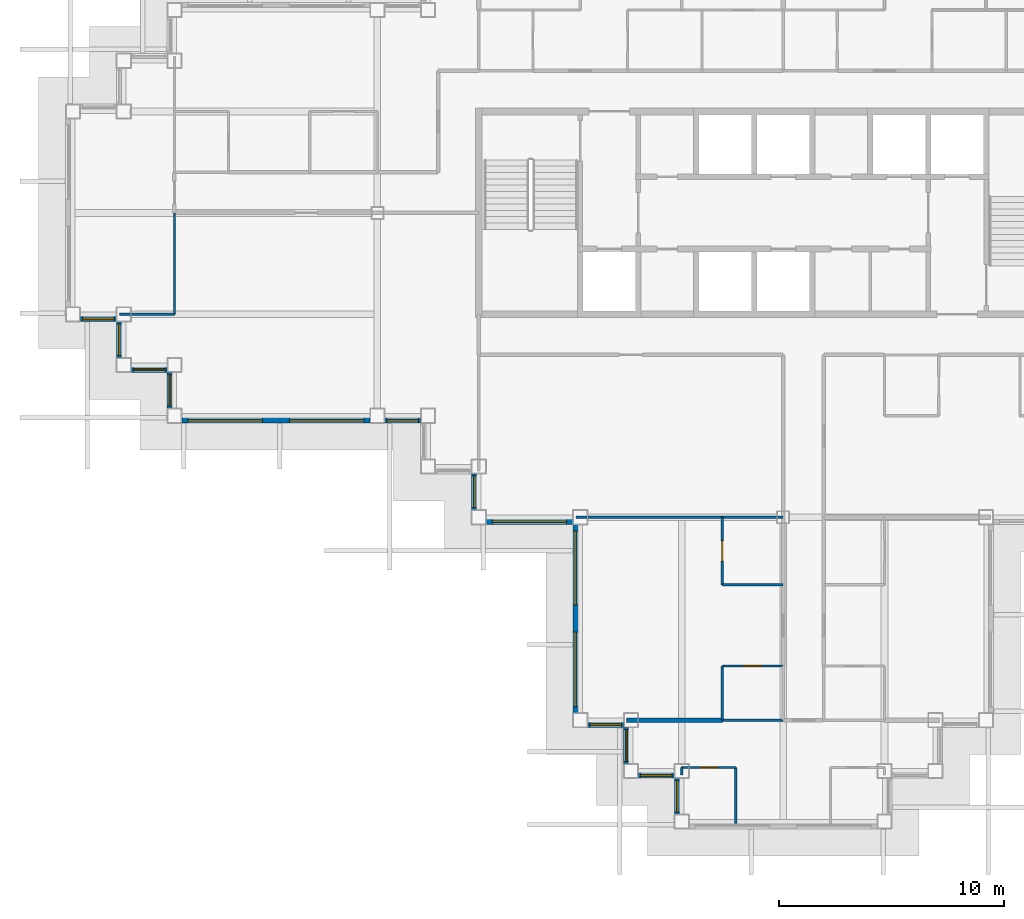
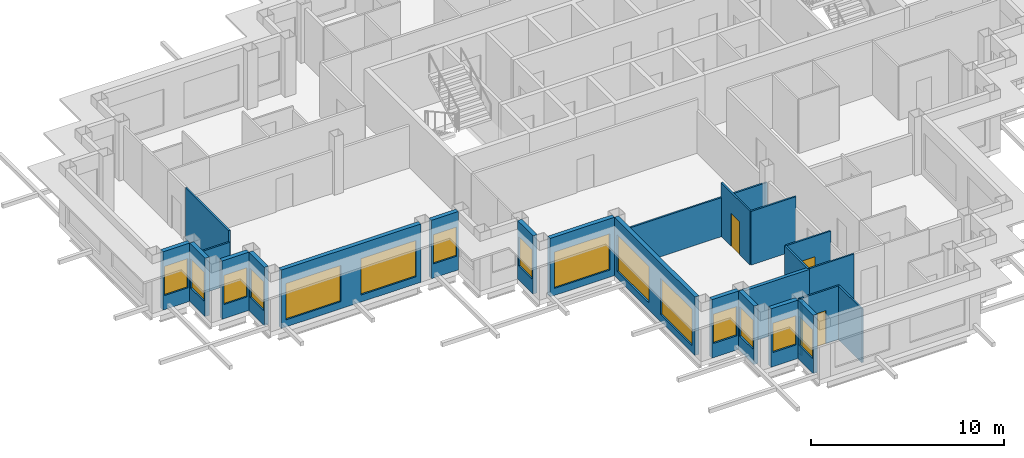
# One storey, part 2 of 12: 25 walls, 15 windows, 3 doors, 18 openings.
"""IFC4 building model written with IfcOpenShell, lengths in metres."""

import ifcopenshell
import ifcopenshell.guid

model = None  # the IFC model being written
_history = None  # IfcOwnerHistory: only IFC2X3 demands one
_inside = {}  # id of a spatial element -> (the spatial element, [elements in it])
_under = {}  # id of a project, library or spatial element -> (it, [spatial elements below it])
_declared = {}  # id of a project -> (the project, [libraries it declares])
_typed = {}  # id of a type object -> (the type object, [elements of that type])
_made_of = {}  # id of a material, layer set ... -> (it, [elements and type objects made of it])


def new_model(schema):
    """Start an empty IFC model of exactly this schema.

    Asked for "IFC4X3", IfcOpenShell would pick the latest addendum, in which some entities
    have other attributes; the version numbers below select the first issue.
    IFC2X3 requires an IfcOwnerHistory on every rooted entity: one is made here for all.
    """
    global model, _history
    if schema == "IFC4X3":
        model = ifcopenshell.file(schema_version=(4, 3, 0, 0))
    else:
        model = ifcopenshell.file(schema=schema)
    _inside.clear()
    _under.clear()
    _declared.clear()
    _typed.clear()
    _made_of.clear()
    _history = None
    if model.schema == "IFC2X3":
        org = make("IfcOrganization", Name="unknown")
        user = make(
            "IfcPersonAndOrganization",
            ThePerson=make("IfcPerson", FamilyName="unknown"),
            TheOrganization=org,
        )
        app = make(
            "IfcApplication",
            ApplicationDeveloper=org,
            Version="unknown",
            ApplicationFullName="unknown",
            ApplicationIdentifier="unknown",
        )
        _history = make(
            "IfcOwnerHistory",
            OwningUser=user,
            OwningApplication=app,
            ChangeAction="ADDED",
            CreationDate=0,
        )
    return model


def make(cls, **values):
    """One entity of the class cls with the attributes given. An attribute that is None is left unset."""
    return model.create_entity(
        cls, **{name: value for name, value in values.items() if value is not None}
    )


def rooted(cls, **values):
    """An entity with a GlobalId (a new one), such as an element, a storey or a relation."""
    return make(cls, GlobalId=ifcopenshell.guid.new(), OwnerHistory=_history, **values)


def si_unit(unit_type, name, prefix=None):
    """IfcSIUnit, for example si_unit("LENGTHUNIT", "METRE", prefix="MILLI")."""
    return make("IfcSIUnit", UnitType=unit_type, Prefix=prefix, Name=name)


def assignment(units):
    """IfcUnitAssignment: the units of a project."""
    return None if units is None else make("IfcUnitAssignment", Units=units)


def point(xyz):
    """IfcCartesianPoint."""
    return None if xyz is None else make("IfcCartesianPoint", Coordinates=xyz)


def direction(xyz):
    """IfcDirection."""
    return None if xyz is None else make("IfcDirection", DirectionRatios=xyz)


def frame(location, z_axis=None, x_axis=None):
    """IfcAxis2Placement3D, a coordinate frame: its origin and axes. An axis left out is left unset."""
    return make(
        "IfcAxis2Placement3D",
        Location=point(location),
        Axis=direction(z_axis),
        RefDirection=direction(x_axis),
    )


def frame_2d(location, x_axis=None):
    """IfcAxis2Placement2D, a coordinate frame in the plane: its origin and x axis."""
    return make(
        "IfcAxis2Placement2D", Location=point(location), RefDirection=direction(x_axis)
    )


def origin():
    """The frame at (0, 0, 0) with its axes left unset."""
    return frame((0.0, 0.0, 0.0))


def place(relative_to, where):
    """IfcLocalPlacement: puts the frame where relative to a parent placement (None: the world)."""
    return make(
        "IfcLocalPlacement", PlacementRelTo=relative_to, RelativePlacement=where
    )


def context(
    kind, dimensions, precision=None, world=None, true_north=None, identifier=None
):
    """IfcGeometricRepresentationContext, for example the 3D "Model" context."""
    return make(
        "IfcGeometricRepresentationContext",
        ContextIdentifier=identifier,
        ContextType=kind,
        CoordinateSpaceDimension=dimensions,
        Precision=precision,
        WorldCoordinateSystem=world,
        TrueNorth=true_north,
    )


def subcontext(parent, identifier, kind, view, scale=None):
    """IfcGeometricRepresentationSubContext, for example "Body" below "Model"."""
    return make(
        "IfcGeometricRepresentationSubContext",
        ContextIdentifier=identifier,
        ContextType=kind,
        ParentContext=parent,
        TargetScale=scale,
        TargetView=view,
    )


def project(units=None, contexts=None):
    """IfcProject with its units and contexts."""
    return rooted(
        "IfcProject",
        Name="project",
        RepresentationContexts=contexts,
        UnitsInContext=assignment(units),
    )


def spatial(cls, under=None, at=None, **own):
    """A site, building, storey or space (cls), placed at a placement, below another one or the project."""
    s = rooted(cls, ObjectPlacement=at, **own)
    if under is not None:
        _under.setdefault(under.id(), (under, []))[1].append(s)
    return s


def profile(cls, at=None, kind="AREA", **sizes):
    """A parametric profile (cls). Its sizes go by their IFC names, for example OverallWidth=200.0."""
    return make(cls, ProfileType=kind, Position=at, **sizes)


def rectangle(**sizes):
    """IfcRectangleProfileDef."""
    return profile("IfcRectangleProfileDef", **sizes)


def extrude(swept, where, along, depth):
    """IfcExtrudedAreaSolid: the profile swept, set in the frame where, extruded along a direction by depth."""
    return make(
        "IfcExtrudedAreaSolid",
        SweptArea=swept,
        Position=where,
        ExtrudedDirection=direction(along),
        Depth=depth,
    )


def shape(context_of_items, identifier, shape_type, items):
    """IfcShapeRepresentation: the items that make up one representation, for example the "Body"."""
    return make(
        "IfcShapeRepresentation",
        ContextOfItems=context_of_items,
        RepresentationIdentifier=identifier,
        RepresentationType=shape_type,
        Items=items,
    )


def material(Name=None, Category=None):
    """IfcMaterial."""
    return make("IfcMaterial", Name=Name, Category=Category)


def layer(
    of_material, thickness, ventilated=None, Name=None, Category=None, Priority=None
):
    """IfcMaterialLayer: one layer of a wall or slab, of a material (None: an air gap)."""
    return make(
        "IfcMaterialLayer",
        Material=of_material,
        LayerThickness=thickness,
        IsVentilated=ventilated,
        Name=Name,
        Category=Category,
        Priority=Priority,
    )


def layer_set(layers, Name=None):
    """IfcMaterialLayerSet."""
    return make("IfcMaterialLayerSet", MaterialLayers=layers, LayerSetName=Name)


def made_of(thing, what):
    """Note that an element or type object is made of a material, layer set ...; save() writes the relation."""
    if what is not None:
        _made_of.setdefault(what.id(), (what, []))[1].append(thing)
    return thing


def type_object(cls, material=None, **own):
    """A type object (cls), such as IfcWallType, which elements share."""
    return made_of(rooted(cls, **own), material)


def element(
    cls,
    number,
    at=None,
    inside=None,
    cuts=None,
    type_object=None,
    material=None,
    context=None,
    identifier="Body",
    shape_type=None,
    held_by="IfcProductDefinitionShape",
    body=None,
    shapes=None,
    **own,
):
    """One element of the class cls, such as IfcWall. Its Tag is "e" and its number.

    at: its placement. inside: the storey or other place that contains it. cuts: it is an
    opening in that element (IfcRelVoidsElement). A single representation is given by context,
    identifier, shape_type and body (its items); several are given by shapes. held_by: the class
    of the entity that holds the representations. save() writes the other relations.
    """
    e = rooted(cls, Tag="e%d" % number, ObjectPlacement=at, **own)
    if body is not None:
        shapes = [shape(context, identifier, shape_type, body)]
    if shapes is not None:
        e.Representation = make(held_by, Representations=shapes)
    if inside is not None:
        _inside.setdefault(inside.id(), (inside, []))[1].append(e)
    if cuts is not None:
        rooted(
            "IfcRelVoidsElement", RelatingBuildingElement=cuts, RelatedOpeningElement=e
        )
    if type_object is not None:
        _typed.setdefault(type_object.id(), (type_object, []))[1].append(e)
    return made_of(e, material)


def fill(opening, filler):
    """IfcRelFillsElement: the door or window that sits in an opening."""
    return rooted(
        "IfcRelFillsElement",
        RelatingOpeningElement=opening,
        RelatedBuildingElement=filler,
    )


def aggregate(whole, parts):
    """IfcRelAggregates: a whole, such as a stair, and the parts it consists of."""
    return rooted("IfcRelAggregates", RelatingObject=whole, RelatedObjects=parts)


def save(model, path):
    """Write the relations noted so far, then the file.

    IfcRelAggregates (storeys below a building ...), IfcRelContainedInSpatialStructure (elements
    in a storey), IfcRelDefinesByType, IfcRelAssociatesMaterial and IfcRelDeclares: one each for
    every whole, place, type object, material and project.
    """
    for whole, parts in _under.values():
        aggregate(whole, parts)
    for where, things in _inside.values():
        rooted(
            "IfcRelContainedInSpatialStructure",
            RelatedElements=things,
            RelatingStructure=where,
        )
    for kind, things in _typed.values():
        rooted("IfcRelDefinesByType", RelatedObjects=things, RelatingType=kind)
    for what, things in _made_of.values():
        rooted("IfcRelAssociatesMaterial", RelatedObjects=things, RelatingMaterial=what)
    for by, libraries in _declared.values():
        rooted("IfcRelDeclares", RelatingContext=by, RelatedDefinitions=libraries)
    model.write(path)


model = new_model("IFC4")

# Units and contexts
model_context = context("Model", 3, precision=1e-05, world=origin(), true_north=direction((0.0, 1.0)))
body_context = subcontext(model_context, "Body", "Model", "MODEL_VIEW")
ifc_project = project(units=[si_unit("LENGTHUNIT", "METRE"), si_unit("AREAUNIT", "SQUARE_METRE"), si_unit("VOLUMEUNIT", "CUBIC_METRE"), si_unit("PLANEANGLEUNIT", "RADIAN"), si_unit("MASSUNIT", "GRAM", prefix="KILO")], contexts=[model_context])

# Site, building, storey
site_placement = place(None, origin())
site = spatial("IfcSite", under=ifc_project, at=site_placement, CompositionType="ELEMENT")
building_placement = place(site_placement, origin())
building = spatial("IfcBuilding", under=site, at=building_placement, Name="Caravel Reach Hotel and Residences", CompositionType="ELEMENT")
storey_placement = place(building_placement, frame((0.0, 0.0, 218.300048828125)))
storey = spatial("IfcBuildingStorey", under=building, at=storey_placement, Name="L55", CompositionType="ELEMENT", Elevation=218.300048828125)

# Wall, opening, door
ifc_material_1 = material(Name="Gypsum board on steel stud", Category="steel")
ifc_layer_1 = layer(ifc_material_1, 0.10009765625)
ifc_layer_set_1 = layer_set([ifc_layer_1], Name="Bathroom pod wall 100 mm")
wall_type_1 = type_object("IfcWallType", Name="Bathroom pod wall 100 mm", PredefinedType="PARTITIONING", material=ifc_layer_set_1)
wall_1_placement = place(storey_placement, frame((27.0, 2.39990234375, 0.0), z_axis=(0.0, 0.0, 1.0), x_axis=(1.0, 0.0, 0.0)))
wall_1 = element("IfcWall", 1, at=wall_1_placement, inside=storey, type_object=wall_type_1, Name="L55 wall w077", PredefinedType="PARTITIONING", context=body_context, shape_type="SweptSolid", body=[
    extrude(rectangle(XDim=2.39990234375, YDim=0.10009765625, at=frame_2d((1.199951171875, 0.0))), origin(), (0.0, 0.0, 1.0), 3.39990234375),
])
opening_1_placement = place(wall_1_placement, frame((0.800048828125, 0.0, 0.0)))
opening_1 = element("IfcOpeningElement", 2, at=opening_1_placement, cuts=wall_1, Name="Opening D55-048", PredefinedType="OPENING", context=body_context, shape_type="SweptSolid", body=[
    extrude(rectangle(XDim=0.800048828125, YDim=2.10009765625, at=frame_2d((0.39990234375, 1.050048828125))), frame((0.0, 0.06005859375, 0.0), z_axis=(0.0, -1.0, 0.0), x_axis=(1.0, 0.0, 0.0)), (0.0, 0.0, 1.0), 0.1201171875),
])
ifc_material_2 = material(Name="Timber and steel door leaf", Category="steel")
door_type_1 = type_object("IfcDoorType", Name="Bathroom door 800 x 2100", OperationType="SINGLE_SWING_LEFT", PredefinedType="DOOR", material=ifc_material_2)
door_1_placement = place(opening_1_placement, origin())
door_1 = element("IfcDoor", 3, at=door_1_placement, inside=storey, type_object=door_type_1, Name="door D55-048", OperationType="SINGLE_SWING_LEFT", OverallHeight=2.10009765625, OverallWidth=0.800048828125, PredefinedType="DOOR", context=body_context, shape_type="SweptSolid", body=[
    extrude(rectangle(XDim=0.800048828125, YDim=2.10009765625, at=frame_2d((0.39990234375, 1.050048828125))), frame((0.0, 0.02490234375, 0.0), z_axis=(0.0, -1.0, 0.0), x_axis=(1.0, 0.0, 0.0)), (0.0, 0.0, 1.0), 0.050048828125),
])
fill(opening_1, door_1)

# Wall
wall_2_placement = place(storey_placement, frame((28.800048828125, 4.5, 0.0), z_axis=(0.0, 0.0, 1.0), x_axis=(1.0, 0.0, 0.0)))
element("IfcWall", 4, at=wall_2_placement, inside=storey, type_object=wall_type_1, Name="L55 wall w087", PredefinedType="PARTITIONING", context=body_context, shape_type="SweptSolid", body=[
    extrude(rectangle(XDim=2.699951171875, YDim=0.10009765625, at=frame_2d((1.35009765625, 0.0))), origin(), (0.0, 0.0, 1.0), 3.39990234375),
])

# Wall, opening, door
wall_3_placement = place(storey_placement, frame((28.800048828125, 6.89990234375, 0.0), z_axis=(0.0, 0.0, 1.0), x_axis=(1.0, 0.0, 0.0)))
wall_3 = element("IfcWall", 5, at=wall_3_placement, inside=storey, type_object=wall_type_1, Name="L55 wall w089", PredefinedType="PARTITIONING", context=body_context, shape_type="SweptSolid", body=[
    extrude(rectangle(XDim=2.699951171875, YDim=0.10009765625, at=frame_2d((1.35009765625, 0.0))), origin(), (0.0, 0.0, 1.0), 3.39990234375),
])
opening_2_placement = place(wall_3_placement, frame((0.949951171875, 0.0, 0.0)))
opening_2 = element("IfcOpeningElement", 6, at=opening_2_placement, cuts=wall_3, Name="Opening D55-038", PredefinedType="OPENING", context=body_context, shape_type="SweptSolid", body=[
    extrude(rectangle(XDim=0.800048828125, YDim=2.10009765625, at=frame_2d((0.39990234375, 1.050048828125))), frame((0.0, 0.06005859375, 0.0), z_axis=(0.0, -1.0, 0.0), x_axis=(1.0, 0.0, 0.0)), (0.0, 0.0, 1.0), 0.1201171875),
])
door_2_placement = place(opening_2_placement, origin())
door_2 = element("IfcDoor", 7, at=door_2_placement, inside=storey, type_object=door_type_1, Name="door D55-038", OperationType="SINGLE_SWING_LEFT", OverallHeight=2.10009765625, OverallWidth=0.800048828125, PredefinedType="DOOR", context=body_context, shape_type="SweptSolid", body=[
    extrude(rectangle(XDim=0.800048828125, YDim=2.10009765625, at=frame_2d((0.39990234375, 1.050048828125))), frame((0.0, 0.02490234375, 0.0), z_axis=(0.0, -1.0, 0.0), x_axis=(1.0, 0.0, 0.0)), (0.0, 0.0, 1.0), 0.050048828125),
])
fill(opening_2, door_2)

# Walls
wall_4_placement = place(storey_placement, frame((27.0, 2.06005859375, 0.0), z_axis=(0.0, 0.0, 1.0), x_axis=(0.0, 1.0, 0.0)))
element("IfcWall", 8, at=wall_4_placement, inside=storey, type_object=wall_type_1, Name="L55 wall w092", PredefinedType="PARTITIONING", context=body_context, shape_type="SweptSolid", body=[
    extrude(rectangle(XDim=0.33984375, YDim=0.10009765625, at=frame_2d((0.169921875, 0.0))), origin(), (0.0, 0.0, 1.0), 3.39990234375),
])
wall_5_placement = place(storey_placement, frame((28.800048828125, 4.5, 0.0), z_axis=(0.0, 0.0, 1.0), x_axis=(0.0, 1.0, 0.0)))
element("IfcWall", 9, at=wall_5_placement, inside=storey, type_object=wall_type_1, Name="L55 wall w093", PredefinedType="PARTITIONING", context=body_context, shape_type="SweptSolid", body=[
    extrude(rectangle(XDim=2.39990234375, YDim=0.10009765625, at=frame_2d((1.199951171875, 0.0))), origin(), (0.0, 0.0, 1.0), 3.39990234375),
])
wall_6_placement = place(storey_placement, frame((29.39990234375, -0.074951171875, 0.0), z_axis=(0.0, 0.0, 1.0), x_axis=(0.0, 1.0, 0.0)))
element("IfcWall", 10, at=wall_6_placement, inside=storey, type_object=wall_type_1, Name="L55 wall w094", PredefinedType="PARTITIONING", context=body_context, shape_type="SweptSolid", body=[
    extrude(rectangle(XDim=2.474853515625, YDim=0.10009765625, at=frame_2d((1.2373046875, 0.0))), origin(), (0.0, 0.0, 1.0), 3.39990234375),
])

# Wall, opening, window
ifc_material_3 = material(Name="Insulated rainscreen wall, aluminium cladding", Category="aluminium")
ifc_layer_2 = layer(ifc_material_3, 0.25)
ifc_layer_set_2 = layer_set([ifc_layer_2], Name="EW1 Tower rainscreen wall")
wall_type_2 = type_object("IfcWallType", Name="EW1 Tower rainscreen wall", PredefinedType="SOLIDWALL", material=ifc_layer_set_2)
wall_7_placement = place(storey_placement, frame((0.324951171875, 22.300048828125, 0.0), z_axis=(0.0, 0.0, 1.0), x_axis=(1.0, 0.0, 0.0)))
wall_7 = element("IfcWall", 11, at=wall_7_placement, inside=storey, type_object=wall_type_2, Name="External wall L55 S21.1", PredefinedType="SOLIDWALL", context=body_context, shape_type="SweptSolid", body=[
    extrude(rectangle(XDim=1.60009765625, YDim=0.25, at=frame_2d((0.800048828125, 0.0))), origin(), (0.0, 0.0, 1.0), 3.699951171875),
])
opening_3_placement = place(wall_7_placement, frame((0.10009765625, 0.0, 0.89990234375)))
opening_3 = element("IfcOpeningElement", 12, at=opening_3_placement, cuts=wall_7, Name="Opening WN22", PredefinedType="OPENING", context=body_context, shape_type="SweptSolid", body=[
    extrude(rectangle(XDim=1.39990234375, YDim=1.85009765625, at=frame_2d((0.699951171875, 0.925048828125))), frame((0.0, 0.135009765625, 0.0), z_axis=(0.0, -1.0, 0.0), x_axis=(1.0, 0.0, 0.0)), (0.0, 0.0, 1.0), 0.27001953125),
])
ifc_material_4 = material(Name="Dark low-e glazing in black aluminium frame", Category="aluminium")
window_type_1 = type_object("IfcWindowType", Name="Residence bedroom window 1400 x 1850", PartitioningType="SINGLE_PANEL", PredefinedType="WINDOW", material=ifc_material_4)
window_1_placement = place(opening_3_placement, origin())
window_1 = element("IfcWindow", 13, at=window_1_placement, inside=storey, type_object=window_type_1, Name="Window L55 S21.1.1", OverallHeight=1.85009765625, OverallWidth=1.39990234375, PartitioningType="SINGLE_PANEL", PredefinedType="WINDOW", context=body_context, shape_type="SweptSolid", body=[
    extrude(rectangle(XDim=1.39990234375, YDim=1.85009765625, at=frame_2d((0.699951171875, 0.925048828125))), frame((0.0, 0.030029296875, 0.0), z_axis=(0.0, -1.0, 0.0), x_axis=(1.0, 0.0, 0.0)), (0.0, 0.0, 1.0), 0.06005859375),
])
fill(opening_3, window_1)

wall_8_placement = place(storey_placement, frame((2.050048828125, 22.175048828125, 0.0), z_axis=(0.0, 0.0, 1.0), x_axis=(0.0, -1.0, 0.0)))
wall_8 = element("IfcWall", 14, at=wall_8_placement, inside=storey, type_object=wall_type_2, Name="External wall L55 W22.1", PredefinedType="SOLIDWALL", context=body_context, shape_type="SweptSolid", body=[
    extrude(rectangle(XDim=1.60009765625, YDim=0.25, at=frame_2d((0.800048828125, 0.0))), origin(), (0.0, 0.0, 1.0), 3.699951171875),
])
opening_4_placement = place(wall_8_placement, frame((0.10009765625, 0.0, 0.89990234375)))
opening_4 = element("IfcOpeningElement", 15, at=opening_4_placement, cuts=wall_8, Name="Opening WN22", PredefinedType="OPENING", context=body_context, shape_type="SweptSolid", body=[
    extrude(rectangle(XDim=1.39990234375, YDim=1.85009765625, at=frame_2d((0.699951171875, 0.925048828125))), frame((0.0, 0.135009765625, 0.0), z_axis=(0.0, -1.0, 0.0), x_axis=(1.0, 0.0, 0.0)), (0.0, 0.0, 1.0), 0.27001953125),
])
window_2_placement = place(opening_4_placement, origin())
window_2 = element("IfcWindow", 16, at=window_2_placement, inside=storey, type_object=window_type_1, Name="Window L55 W22.1.1", OverallHeight=1.85009765625, OverallWidth=1.39990234375, PartitioningType="SINGLE_PANEL", PredefinedType="WINDOW", context=body_context, shape_type="SweptSolid", body=[
    extrude(rectangle(XDim=1.39990234375, YDim=1.85009765625, at=frame_2d((0.699951171875, 0.925048828125))), frame((0.0, 0.030029296875, 0.0), z_axis=(0.0, -1.0, 0.0), x_axis=(1.0, 0.0, 0.0)), (0.0, 0.0, 1.0), 0.06005859375),
])
fill(opening_4, window_2)

wall_9_placement = place(storey_placement, frame((2.574951171875, 20.050048828125, 0.0), z_axis=(0.0, 0.0, 1.0), x_axis=(1.0, 0.0, 0.0)))
wall_9 = element("IfcWall", 17, at=wall_9_placement, inside=storey, type_object=wall_type_2, Name="External wall L55 S23.1", PredefinedType="SOLIDWALL", context=body_context, shape_type="SweptSolid", body=[
    extrude(rectangle(XDim=1.60009765625, YDim=0.25, at=frame_2d((0.800048828125, 0.0))), origin(), (0.0, 0.0, 1.0), 3.699951171875),
])
opening_5_placement = place(wall_9_placement, frame((0.10009765625, 0.0, 0.89990234375)))
opening_5 = element("IfcOpeningElement", 18, at=opening_5_placement, cuts=wall_9, Name="Opening WN22", PredefinedType="OPENING", context=body_context, shape_type="SweptSolid", body=[
    extrude(rectangle(XDim=1.39990234375, YDim=1.85009765625, at=frame_2d((0.699951171875, 0.925048828125))), frame((0.0, 0.135009765625, 0.0), z_axis=(0.0, -1.0, 0.0), x_axis=(1.0, 0.0, 0.0)), (0.0, 0.0, 1.0), 0.27001953125),
])
window_3_placement = place(opening_5_placement, origin())
window_3 = element("IfcWindow", 19, at=window_3_placement, inside=storey, type_object=window_type_1, Name="Window L55 S23.1.1", OverallHeight=1.85009765625, OverallWidth=1.39990234375, PartitioningType="SINGLE_PANEL", PredefinedType="WINDOW", context=body_context, shape_type="SweptSolid", body=[
    extrude(rectangle(XDim=1.39990234375, YDim=1.85009765625, at=frame_2d((0.699951171875, 0.925048828125))), frame((0.0, 0.030029296875, 0.0), z_axis=(0.0, -1.0, 0.0), x_axis=(1.0, 0.0, 0.0)), (0.0, 0.0, 1.0), 0.06005859375),
])
fill(opening_5, window_3)

wall_10_placement = place(storey_placement, frame((4.300048828125, 19.925048828125, 0.0), z_axis=(0.0, 0.0, 1.0), x_axis=(0.0, -1.0, 0.0)))
wall_10 = element("IfcWall", 20, at=wall_10_placement, inside=storey, type_object=wall_type_2, Name="External wall L55 W24.1", PredefinedType="SOLIDWALL", context=body_context, shape_type="SweptSolid", body=[
    extrude(rectangle(XDim=1.60009765625, YDim=0.25, at=frame_2d((0.800048828125, 0.0))), origin(), (0.0, 0.0, 1.0), 3.699951171875),
])
opening_6_placement = place(wall_10_placement, frame((0.10009765625, 0.0, 0.89990234375)))
opening_6 = element("IfcOpeningElement", 21, at=opening_6_placement, cuts=wall_10, Name="Opening WN22", PredefinedType="OPENING", context=body_context, shape_type="SweptSolid", body=[
    extrude(rectangle(XDim=1.39990234375, YDim=1.85009765625, at=frame_2d((0.699951171875, 0.925048828125))), frame((0.0, 0.135009765625, 0.0), z_axis=(0.0, -1.0, 0.0), x_axis=(1.0, 0.0, 0.0)), (0.0, 0.0, 1.0), 0.27001953125),
])
window_4_placement = place(opening_6_placement, origin())
window_4 = element("IfcWindow", 22, at=window_4_placement, inside=storey, type_object=window_type_1, Name="Window L55 W24.1.1", OverallHeight=1.85009765625, OverallWidth=1.39990234375, PartitioningType="SINGLE_PANEL", PredefinedType="WINDOW", context=body_context, shape_type="SweptSolid", body=[
    extrude(rectangle(XDim=1.39990234375, YDim=1.85009765625, at=frame_2d((0.699951171875, 0.925048828125))), frame((0.0, 0.030029296875, 0.0), z_axis=(0.0, -1.0, 0.0), x_axis=(1.0, 0.0, 0.0)), (0.0, 0.0, 1.0), 0.06005859375),
])
fill(opening_6, window_4)

# Wall, openings, windows
wall_11_placement = place(storey_placement, frame((4.824951171875, 17.800048828125, 0.0), z_axis=(0.0, 0.0, 1.0), x_axis=(1.0, 0.0, 0.0)))
wall_11 = element("IfcWall", 23, at=wall_11_placement, inside=storey, type_object=wall_type_2, Name="External wall L55 S25.1", PredefinedType="SOLIDWALL", context=body_context, shape_type="SweptSolid", body=[
    extrude(rectangle(XDim=8.35009765625, YDim=0.25, at=frame_2d((4.175048828125, 0.0))), origin(), (0.0, 0.0, 1.0), 3.699951171875),
])
opening_7_placement = place(wall_11_placement, frame((0.27490234375, 0.0, 0.449951171875)))
opening_7 = element("IfcOpeningElement", 24, at=opening_7_placement, cuts=wall_11, Name="Opening WN15", PredefinedType="OPENING", context=body_context, shape_type="SweptSolid", body=[
    extrude(rectangle(XDim=3.300048828125, YDim=2.300048828125, at=frame_2d((1.64990234375, 1.14990234375))), frame((0.0, 0.135009765625, 0.0), z_axis=(0.0, -1.0, 0.0), x_axis=(1.0, 0.0, 0.0)), (0.0, 0.0, 1.0), 0.27001953125),
])
opening_8_placement = place(wall_11_placement, frame((4.77490234375, 0.0, 0.449951171875)))
opening_8 = element("IfcOpeningElement", 25, at=opening_8_placement, cuts=wall_11, Name="Opening WN15", PredefinedType="OPENING", context=body_context, shape_type="SweptSolid", body=[
    extrude(rectangle(XDim=3.300048828125, YDim=2.300048828125, at=frame_2d((1.64990234375, 1.14990234375))), frame((0.0, 0.135009765625, 0.0), z_axis=(0.0, -1.0, 0.0), x_axis=(1.0, 0.0, 0.0)), (0.0, 0.0, 1.0), 0.27001953125),
])
ifc_material_5 = material(Name="Dark low-e glazing in black aluminium frame", Category="aluminium")
window_type_2 = type_object("IfcWindowType", Name="Residence living window 3300 x 2300", PartitioningType="SINGLE_PANEL", PredefinedType="WINDOW", material=ifc_material_5)
window_5_placement = place(opening_7_placement, origin())
window_5 = element("IfcWindow", 26, at=window_5_placement, inside=storey, type_object=window_type_2, Name="Window L55 S25.1.1", OverallHeight=2.300048828125, OverallWidth=3.300048828125, PartitioningType="SINGLE_PANEL", PredefinedType="WINDOW", context=body_context, shape_type="SweptSolid", body=[
    extrude(rectangle(XDim=3.300048828125, YDim=2.300048828125, at=frame_2d((1.64990234375, 1.14990234375))), frame((0.0, 0.030029296875, 0.0), z_axis=(0.0, -1.0, 0.0), x_axis=(1.0, 0.0, 0.0)), (0.0, 0.0, 1.0), 0.06005859375),
])
fill(opening_7, window_5)
window_6_placement = place(opening_8_placement, origin())
window_6 = element("IfcWindow", 27, at=window_6_placement, inside=storey, type_object=window_type_2, Name="Window L55 S25.1.2", OverallHeight=2.300048828125, OverallWidth=3.300048828125, PartitioningType="SINGLE_PANEL", PredefinedType="WINDOW", context=body_context, shape_type="SweptSolid", body=[
    extrude(rectangle(XDim=3.300048828125, YDim=2.300048828125, at=frame_2d((1.64990234375, 1.14990234375))), frame((0.0, 0.030029296875, 0.0), z_axis=(0.0, -1.0, 0.0), x_axis=(1.0, 0.0, 0.0)), (0.0, 0.0, 1.0), 0.06005859375),
])
fill(opening_8, window_6)

# Wall, opening, window
wall_12_placement = place(storey_placement, frame((13.824951171875, 17.800048828125, 0.0), z_axis=(0.0, 0.0, 1.0), x_axis=(1.0, 0.0, 0.0)))
wall_12 = element("IfcWall", 28, at=wall_12_placement, inside=storey, type_object=wall_type_2, Name="External wall L55 S25.2", PredefinedType="SOLIDWALL", context=body_context, shape_type="SweptSolid", body=[
    extrude(rectangle(XDim=1.60009765625, YDim=0.25, at=frame_2d((0.800048828125, 0.0))), origin(), (0.0, 0.0, 1.0), 3.699951171875),
])
opening_9_placement = place(wall_12_placement, frame((0.10009765625, 0.0, 0.89990234375)))
opening_9 = element("IfcOpeningElement", 29, at=opening_9_placement, cuts=wall_12, Name="Opening WN22", PredefinedType="OPENING", context=body_context, shape_type="SweptSolid", body=[
    extrude(rectangle(XDim=1.39990234375, YDim=1.85009765625, at=frame_2d((0.699951171875, 0.925048828125))), frame((0.0, 0.135009765625, 0.0), z_axis=(0.0, -1.0, 0.0), x_axis=(1.0, 0.0, 0.0)), (0.0, 0.0, 1.0), 0.27001953125),
])
window_7_placement = place(opening_9_placement, origin())
window_7 = element("IfcWindow", 30, at=window_7_placement, inside=storey, type_object=window_type_1, Name="Window L55 S25.2.1", OverallHeight=1.85009765625, OverallWidth=1.39990234375, PartitioningType="SINGLE_PANEL", PredefinedType="WINDOW", context=body_context, shape_type="SweptSolid", body=[
    extrude(rectangle(XDim=1.39990234375, YDim=1.85009765625, at=frame_2d((0.699951171875, 0.925048828125))), frame((0.0, 0.030029296875, 0.0), z_axis=(0.0, -1.0, 0.0), x_axis=(1.0, 0.0, 0.0)), (0.0, 0.0, 1.0), 0.06005859375),
])
fill(opening_9, window_7)

wall_13_placement = place(storey_placement, frame((17.800048828125, 15.425048828125, 0.0), z_axis=(0.0, 0.0, 1.0), x_axis=(0.0, -1.0, 0.0)))
wall_13 = element("IfcWall", 31, at=wall_13_placement, inside=storey, type_object=wall_type_2, Name="External wall L55 W28.1", PredefinedType="SOLIDWALL", context=body_context, shape_type="SweptSolid", body=[
    extrude(rectangle(XDim=1.60009765625, YDim=0.25, at=frame_2d((0.800048828125, 0.0))), origin(), (0.0, 0.0, 1.0), 3.699951171875),
])
opening_10_placement = place(wall_13_placement, frame((0.10009765625, 0.0, 0.89990234375)))
opening_10 = element("IfcOpeningElement", 32, at=opening_10_placement, cuts=wall_13, Name="Opening WN22", PredefinedType="OPENING", context=body_context, shape_type="SweptSolid", body=[
    extrude(rectangle(XDim=1.39990234375, YDim=1.85009765625, at=frame_2d((0.699951171875, 0.925048828125))), frame((0.0, 0.135009765625, 0.0), z_axis=(0.0, -1.0, 0.0), x_axis=(1.0, 0.0, 0.0)), (0.0, 0.0, 1.0), 0.27001953125),
])
window_8_placement = place(opening_10_placement, origin())
window_8 = element("IfcWindow", 33, at=window_8_placement, inside=storey, type_object=window_type_1, Name="Window L55 W28.1.1", OverallHeight=1.85009765625, OverallWidth=1.39990234375, PartitioningType="SINGLE_PANEL", PredefinedType="WINDOW", context=body_context, shape_type="SweptSolid", body=[
    extrude(rectangle(XDim=1.39990234375, YDim=1.85009765625, at=frame_2d((0.699951171875, 0.925048828125))), frame((0.0, 0.030029296875, 0.0), z_axis=(0.0, -1.0, 0.0), x_axis=(1.0, 0.0, 0.0)), (0.0, 0.0, 1.0), 0.06005859375),
])
fill(opening_10, window_8)

wall_14_placement = place(storey_placement, frame((18.324951171875, 13.300048828125, 0.0), z_axis=(0.0, 0.0, 1.0), x_axis=(1.0, 0.0, 0.0)))
wall_14 = element("IfcWall", 34, at=wall_14_placement, inside=storey, type_object=wall_type_2, Name="External wall L55 S29.1", PredefinedType="SOLIDWALL", context=body_context, shape_type="SweptSolid", body=[
    extrude(rectangle(XDim=3.85009765625, YDim=0.25, at=frame_2d((1.925048828125, 0.0))), origin(), (0.0, 0.0, 1.0), 3.699951171875),
])
opening_11_placement = place(wall_14_placement, frame((0.27490234375, 0.0, 0.449951171875)))
opening_11 = element("IfcOpeningElement", 35, at=opening_11_placement, cuts=wall_14, Name="Opening WN15", PredefinedType="OPENING", context=body_context, shape_type="SweptSolid", body=[
    extrude(rectangle(XDim=3.300048828125, YDim=2.300048828125, at=frame_2d((1.64990234375, 1.14990234375))), frame((0.0, 0.135009765625, 0.0), z_axis=(0.0, -1.0, 0.0), x_axis=(1.0, 0.0, 0.0)), (0.0, 0.0, 1.0), 0.27001953125),
])
window_9_placement = place(opening_11_placement, origin())
window_9 = element("IfcWindow", 36, at=window_9_placement, inside=storey, type_object=window_type_2, Name="Window L55 S29.1.1", OverallHeight=2.300048828125, OverallWidth=3.300048828125, PartitioningType="SINGLE_PANEL", PredefinedType="WINDOW", context=body_context, shape_type="SweptSolid", body=[
    extrude(rectangle(XDim=3.300048828125, YDim=2.300048828125, at=frame_2d((1.64990234375, 1.14990234375))), frame((0.0, 0.030029296875, 0.0), z_axis=(0.0, -1.0, 0.0), x_axis=(1.0, 0.0, 0.0)), (0.0, 0.0, 1.0), 0.06005859375),
])
fill(opening_11, window_9)

# Wall, openings, windows
wall_15_placement = place(storey_placement, frame((22.300048828125, 13.175048828125, 0.0), z_axis=(0.0, 0.0, 1.0), x_axis=(0.0, -1.0, 0.0)))
wall_15 = element("IfcWall", 37, at=wall_15_placement, inside=storey, type_object=wall_type_2, Name="External wall L55 W30.1", PredefinedType="SOLIDWALL", context=body_context, shape_type="SweptSolid", body=[
    extrude(rectangle(XDim=8.35009765625, YDim=0.25, at=frame_2d((4.175048828125, 0.0))), origin(), (0.0, 0.0, 1.0), 3.699951171875),
])
opening_12_placement = place(wall_15_placement, frame((0.27490234375, 0.0, 0.449951171875)))
opening_12 = element("IfcOpeningElement", 38, at=opening_12_placement, cuts=wall_15, Name="Opening WN15", PredefinedType="OPENING", context=body_context, shape_type="SweptSolid", body=[
    extrude(rectangle(XDim=3.300048828125, YDim=2.300048828125, at=frame_2d((1.64990234375, 1.14990234375))), frame((0.0, 0.135009765625, 0.0), z_axis=(0.0, -1.0, 0.0), x_axis=(1.0, 0.0, 0.0)), (0.0, 0.0, 1.0), 0.27001953125),
])
opening_13_placement = place(wall_15_placement, frame((4.77490234375, 0.0, 0.449951171875)))
opening_13 = element("IfcOpeningElement", 39, at=opening_13_placement, cuts=wall_15, Name="Opening WN15", PredefinedType="OPENING", context=body_context, shape_type="SweptSolid", body=[
    extrude(rectangle(XDim=3.300048828125, YDim=2.300048828125, at=frame_2d((1.64990234375, 1.14990234375))), frame((0.0, 0.135009765625, 0.0), z_axis=(0.0, -1.0, 0.0), x_axis=(1.0, 0.0, 0.0)), (0.0, 0.0, 1.0), 0.27001953125),
])
window_10_placement = place(opening_12_placement, origin())
window_10 = element("IfcWindow", 40, at=window_10_placement, inside=storey, type_object=window_type_2, Name="Window L55 W30.1.1", OverallHeight=2.300048828125, OverallWidth=3.300048828125, PartitioningType="SINGLE_PANEL", PredefinedType="WINDOW", context=body_context, shape_type="SweptSolid", body=[
    extrude(rectangle(XDim=3.300048828125, YDim=2.300048828125, at=frame_2d((1.64990234375, 1.14990234375))), frame((0.0, 0.030029296875, 0.0), z_axis=(0.0, -1.0, 0.0), x_axis=(1.0, 0.0, 0.0)), (0.0, 0.0, 1.0), 0.06005859375),
])
fill(opening_12, window_10)
window_11_placement = place(opening_13_placement, origin())
window_11 = element("IfcWindow", 41, at=window_11_placement, inside=storey, type_object=window_type_2, Name="Window L55 W30.1.2", OverallHeight=2.300048828125, OverallWidth=3.300048828125, PartitioningType="SINGLE_PANEL", PredefinedType="WINDOW", context=body_context, shape_type="SweptSolid", body=[
    extrude(rectangle(XDim=3.300048828125, YDim=2.300048828125, at=frame_2d((1.64990234375, 1.14990234375))), frame((0.0, 0.030029296875, 0.0), z_axis=(0.0, -1.0, 0.0), x_axis=(1.0, 0.0, 0.0)), (0.0, 0.0, 1.0), 0.06005859375),
])
fill(opening_13, window_11)

# Wall, opening, window
wall_16_placement = place(storey_placement, frame((22.824951171875, 4.300048828125, 0.0), z_axis=(0.0, 0.0, 1.0), x_axis=(1.0, 0.0, 0.0)))
wall_16 = element("IfcWall", 42, at=wall_16_placement, inside=storey, type_object=wall_type_2, Name="External wall L55 S31.1", PredefinedType="SOLIDWALL", context=body_context, shape_type="SweptSolid", body=[
    extrude(rectangle(XDim=1.60009765625, YDim=0.25, at=frame_2d((0.800048828125, 0.0))), origin(), (0.0, 0.0, 1.0), 3.699951171875),
])
opening_14_placement = place(wall_16_placement, frame((0.10009765625, 0.0, 0.89990234375)))
opening_14 = element("IfcOpeningElement", 43, at=opening_14_placement, cuts=wall_16, Name="Opening WN22", PredefinedType="OPENING", context=body_context, shape_type="SweptSolid", body=[
    extrude(rectangle(XDim=1.39990234375, YDim=1.85009765625, at=frame_2d((0.699951171875, 0.925048828125))), frame((0.0, 0.135009765625, 0.0), z_axis=(0.0, -1.0, 0.0), x_axis=(1.0, 0.0, 0.0)), (0.0, 0.0, 1.0), 0.27001953125),
])
window_12_placement = place(opening_14_placement, origin())
window_12 = element("IfcWindow", 44, at=window_12_placement, inside=storey, type_object=window_type_1, Name="Window L55 S31.1.1", OverallHeight=1.85009765625, OverallWidth=1.39990234375, PartitioningType="SINGLE_PANEL", PredefinedType="WINDOW", context=body_context, shape_type="SweptSolid", body=[
    extrude(rectangle(XDim=1.39990234375, YDim=1.85009765625, at=frame_2d((0.699951171875, 0.925048828125))), frame((0.0, 0.030029296875, 0.0), z_axis=(0.0, -1.0, 0.0), x_axis=(1.0, 0.0, 0.0)), (0.0, 0.0, 1.0), 0.06005859375),
])
fill(opening_14, window_12)

wall_17_placement = place(storey_placement, frame((24.550048828125, 4.175048828125, 0.0), z_axis=(0.0, 0.0, 1.0), x_axis=(0.0, -1.0, 0.0)))
wall_17 = element("IfcWall", 45, at=wall_17_placement, inside=storey, type_object=wall_type_2, Name="External wall L55 W32.1", PredefinedType="SOLIDWALL", context=body_context, shape_type="SweptSolid", body=[
    extrude(rectangle(XDim=1.60009765625, YDim=0.25, at=frame_2d((0.800048828125, 0.0))), origin(), (0.0, 0.0, 1.0), 3.699951171875),
])
opening_15_placement = place(wall_17_placement, frame((0.10009765625, 0.0, 0.89990234375)))
opening_15 = element("IfcOpeningElement", 46, at=opening_15_placement, cuts=wall_17, Name="Opening WN22", PredefinedType="OPENING", context=body_context, shape_type="SweptSolid", body=[
    extrude(rectangle(XDim=1.39990234375, YDim=1.85009765625, at=frame_2d((0.699951171875, 0.925048828125))), frame((0.0, 0.135009765625, 0.0), z_axis=(0.0, -1.0, 0.0), x_axis=(1.0, 0.0, 0.0)), (0.0, 0.0, 1.0), 0.27001953125),
])
window_13_placement = place(opening_15_placement, origin())
window_13 = element("IfcWindow", 47, at=window_13_placement, inside=storey, type_object=window_type_1, Name="Window L55 W32.1.1", OverallHeight=1.85009765625, OverallWidth=1.39990234375, PartitioningType="SINGLE_PANEL", PredefinedType="WINDOW", context=body_context, shape_type="SweptSolid", body=[
    extrude(rectangle(XDim=1.39990234375, YDim=1.85009765625, at=frame_2d((0.699951171875, 0.925048828125))), frame((0.0, 0.030029296875, 0.0), z_axis=(0.0, -1.0, 0.0), x_axis=(1.0, 0.0, 0.0)), (0.0, 0.0, 1.0), 0.06005859375),
])
fill(opening_15, window_13)

wall_18_placement = place(storey_placement, frame((25.074951171875, 2.050048828125, 0.0), z_axis=(0.0, 0.0, 1.0), x_axis=(1.0, 0.0, 0.0)))
wall_18 = element("IfcWall", 48, at=wall_18_placement, inside=storey, type_object=wall_type_2, Name="External wall L55 S33.1", PredefinedType="SOLIDWALL", context=body_context, shape_type="SweptSolid", body=[
    extrude(rectangle(XDim=1.60009765625, YDim=0.25, at=frame_2d((0.800048828125, 0.0))), origin(), (0.0, 0.0, 1.0), 3.699951171875),
])
opening_16_placement = place(wall_18_placement, frame((0.10009765625, 0.0, 0.89990234375)))
opening_16 = element("IfcOpeningElement", 49, at=opening_16_placement, cuts=wall_18, Name="Opening WN22", PredefinedType="OPENING", context=body_context, shape_type="SweptSolid", body=[
    extrude(rectangle(XDim=1.39990234375, YDim=1.85009765625, at=frame_2d((0.699951171875, 0.925048828125))), frame((0.0, 0.135009765625, 0.0), z_axis=(0.0, -1.0, 0.0), x_axis=(1.0, 0.0, 0.0)), (0.0, 0.0, 1.0), 0.27001953125),
])
window_14_placement = place(opening_16_placement, origin())
window_14 = element("IfcWindow", 50, at=window_14_placement, inside=storey, type_object=window_type_1, Name="Window L55 S33.1.1", OverallHeight=1.85009765625, OverallWidth=1.39990234375, PartitioningType="SINGLE_PANEL", PredefinedType="WINDOW", context=body_context, shape_type="SweptSolid", body=[
    extrude(rectangle(XDim=1.39990234375, YDim=1.85009765625, at=frame_2d((0.699951171875, 0.925048828125))), frame((0.0, 0.030029296875, 0.0), z_axis=(0.0, -1.0, 0.0), x_axis=(1.0, 0.0, 0.0)), (0.0, 0.0, 1.0), 0.06005859375),
])
fill(opening_16, window_14)

wall_19_placement = place(storey_placement, frame((26.800048828125, 1.925048828125, 0.0), z_axis=(0.0, 0.0, 1.0), x_axis=(0.0, -1.0, 0.0)))
wall_19 = element("IfcWall", 51, at=wall_19_placement, inside=storey, type_object=wall_type_2, Name="External wall L55 W34.1", PredefinedType="SOLIDWALL", context=body_context, shape_type="SweptSolid", body=[
    extrude(rectangle(XDim=1.60009765625, YDim=0.25, at=frame_2d((0.800048828125, 0.0))), origin(), (0.0, 0.0, 1.0), 3.699951171875),
])
opening_17_placement = place(wall_19_placement, frame((0.10009765625, 0.0, 0.89990234375)))
opening_17 = element("IfcOpeningElement", 52, at=opening_17_placement, cuts=wall_19, Name="Opening WN22", PredefinedType="OPENING", context=body_context, shape_type="SweptSolid", body=[
    extrude(rectangle(XDim=1.39990234375, YDim=1.85009765625, at=frame_2d((0.699951171875, 0.925048828125))), frame((0.0, 0.135009765625, 0.0), z_axis=(0.0, -1.0, 0.0), x_axis=(1.0, 0.0, 0.0)), (0.0, 0.0, 1.0), 0.27001953125),
])
window_15_placement = place(opening_17_placement, origin())
window_15 = element("IfcWindow", 53, at=window_15_placement, inside=storey, type_object=window_type_1, Name="Window L55 W34.1.1", OverallHeight=1.85009765625, OverallWidth=1.39990234375, PartitioningType="SINGLE_PANEL", PredefinedType="WINDOW", context=body_context, shape_type="SweptSolid", body=[
    extrude(rectangle(XDim=1.39990234375, YDim=1.85009765625, at=frame_2d((0.699951171875, 0.925048828125))), frame((0.0, 0.030029296875, 0.0), z_axis=(0.0, -1.0, 0.0), x_axis=(1.0, 0.0, 0.0)), (0.0, 0.0, 1.0), 0.06005859375),
])
fill(opening_17, window_15)

# Walls
ifc_material_6 = material(Name="Gypsum board on steel stud", Category="steel")
ifc_layer_3 = layer(ifc_material_6, 0.10009765625)
ifc_layer_set_3 = layer_set([ifc_layer_3], Name="Partition 100 mm")
wall_type_3 = type_object("IfcWallType", Name="Partition 100 mm", PredefinedType="PARTITIONING", material=ifc_layer_set_3)
wall_20_placement = place(storey_placement, frame((28.800048828125, 10.5, 0.0), z_axis=(0.0, 0.0, 1.0), x_axis=(1.0, 0.0, 0.0)))
element("IfcWall", 54, at=wall_20_placement, inside=storey, type_object=wall_type_3, Name="L55 wall w030", PredefinedType="PARTITIONING", context=body_context, shape_type="SweptSolid", body=[
    extrude(rectangle(XDim=2.699951171875, YDim=0.10009765625, at=frame_2d((1.35009765625, 0.0))), origin(), (0.0, 0.0, 1.0), 3.39990234375),
])
wall_21_placement = place(storey_placement, frame((22.31005859375, 13.5, 0.0), z_axis=(0.0, 0.0, 1.0), x_axis=(1.0, 0.0, 0.0)))
element("IfcWall", 55, at=wall_21_placement, inside=storey, type_object=wall_type_3, Name="L55 wall w031", PredefinedType="PARTITIONING", context=body_context, shape_type="SweptSolid", body=[
    extrude(rectangle(XDim=9.18994140625, YDim=0.10009765625, at=frame_2d((4.594970703125, 0.0))), origin(), (0.0, 0.0, 1.0), 2.47998046875),
])
wall_22_placement = place(storey_placement, frame((2.06005859375, 22.5, 0.0), z_axis=(0.0, 0.0, 1.0), x_axis=(1.0, 0.0, 0.0)))
element("IfcWall", 56, at=wall_22_placement, inside=storey, type_object=wall_type_3, Name="L55 wall w035", PredefinedType="PARTITIONING", context=body_context, shape_type="SweptSolid", body=[
    extrude(rectangle(XDim=2.43896484375, YDim=0.10009765625, at=frame_2d((1.219482421875, 0.0))), origin(), (0.0, 0.0, 1.0), 2.679931640625),
])

# Wall, opening, door
wall_23_placement = place(storey_placement, frame((28.800048828125, 10.5, 0.0), z_axis=(0.0, 0.0, 1.0), x_axis=(0.0, 1.0, 0.0)))
wall_23 = element("IfcWall", 57, at=wall_23_placement, inside=storey, type_object=wall_type_3, Name="L55 wall w055", PredefinedType="PARTITIONING", context=body_context, shape_type="SweptSolid", body=[
    extrude(rectangle(XDim=3.0, YDim=0.10009765625, at=frame_2d((1.5, 0.0))), origin(), (0.0, 0.0, 1.0), 3.39990234375),
])
opening_18_placement = place(wall_23_placement, frame((1.050048828125, 0.0, 0.0)))
opening_18 = element("IfcOpeningElement", 58, at=opening_18_placement, cuts=wall_23, Name="Opening D55-039", PredefinedType="OPENING", context=body_context, shape_type="SweptSolid", body=[
    extrude(rectangle(XDim=0.89990234375, YDim=2.10009765625, at=frame_2d((0.449951171875, 1.050048828125))), frame((0.0, 0.06005859375, 0.0), z_axis=(0.0, -1.0, 0.0), x_axis=(1.0, 0.0, 0.0)), (0.0, 0.0, 1.0), 0.1201171875),
])
ifc_material_7 = material(Name="Timber and steel door leaf", Category="steel")
door_type_2 = type_object("IfcDoorType", Name="Door 900 x 2100 timber", OperationType="SINGLE_SWING_LEFT", PredefinedType="DOOR", material=ifc_material_7)
door_3_placement = place(opening_18_placement, origin())
door_3 = element("IfcDoor", 59, at=door_3_placement, inside=storey, type_object=door_type_2, Name="door D55-039", OperationType="SINGLE_SWING_LEFT", OverallHeight=2.10009765625, OverallWidth=0.89990234375, PredefinedType="DOOR", context=body_context, shape_type="SweptSolid", body=[
    extrude(rectangle(XDim=0.89990234375, YDim=2.10009765625, at=frame_2d((0.449951171875, 1.050048828125))), frame((0.0, 0.02490234375, 0.0), z_axis=(0.0, -1.0, 0.0), x_axis=(1.0, 0.0, 0.0)), (0.0, 0.0, 1.0), 0.050048828125),
])
fill(opening_18, door_3)

# Walls
wall_24_placement = place(storey_placement, frame((4.5, 22.5, 0.0), z_axis=(0.0, 0.0, 1.0), x_axis=(0.0, 1.0, 0.0)))
element("IfcWall", 60, at=wall_24_placement, inside=storey, type_object=wall_type_3, Name="L55 wall w062", PredefinedType="PARTITIONING", context=body_context, shape_type="SweptSolid", body=[
    extrude(rectangle(XDim=4.5, YDim=0.10009765625, at=frame_2d((2.25, 0.0))), origin(), (0.0, 0.0, 1.0), 3.39990234375),
])
ifc_material_8 = material(Name="Autoclaved aerated block wall")
ifc_layer_4 = layer(ifc_material_8, 0.199951171875)
ifc_layer_set_4 = layer_set([ifc_layer_4], Name="Party wall 200 mm EI 60")
wall_type_4 = type_object("IfcWallType", Name="Party wall 200 mm EI 60", PredefinedType="PARTITIONING", material=ifc_layer_set_4)
wall_25_placement = place(storey_placement, frame((24.56005859375, 4.5, 0.0), z_axis=(0.0, 0.0, 1.0), x_axis=(1.0, 0.0, 0.0)))
element("IfcWall", 61, at=wall_25_placement, inside=storey, type_object=wall_type_4, Name="L55 wall w071", PredefinedType="PARTITIONING", context=body_context, shape_type="SweptSolid", body=[
    extrude(rectangle(XDim=4.239990234375, YDim=0.199951171875, at=frame_2d((2.1201171875, 0.0))), origin(), (0.0, 0.0, 1.0), 3.39990234375),
])

save(model, "model.ifc")
